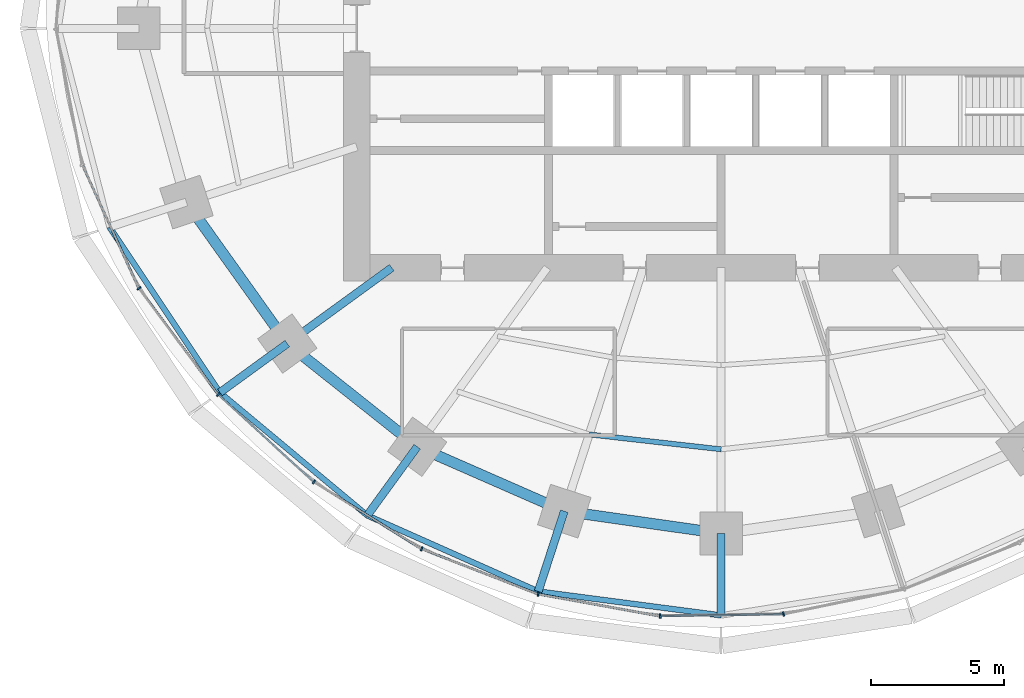
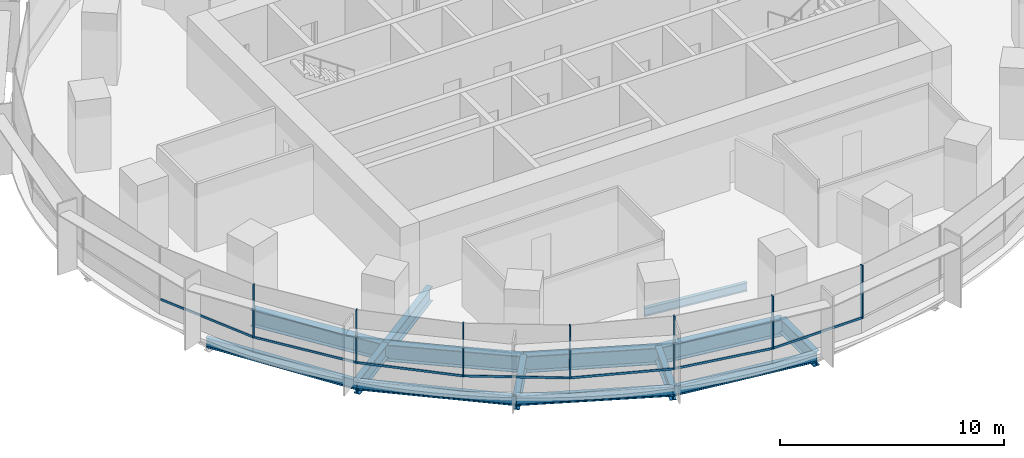
# One storey, part 2 of 14: 14 beams, 14 members, 2 elements without a shape of their own.
"""IFC4 building model written with IfcOpenShell, lengths in metres."""

from ifc_helpers import new_model, si_unit, direction, frame, origin, origin_2d, place, context, subcontext, project, spatial, rectangle, i_section, extrude, material, material_profile, profile_set, type_object, element, aggregate, save


model = new_model("IFC4")

# Units and contexts
model_context = context("Model", 3, precision=1e-05, world=origin(), true_north=direction((0.0, 1.0)))
body_context = subcontext(model_context, "Body", "Model", "MODEL_VIEW")
ifc_project = project(units=[si_unit("LENGTHUNIT", "METRE"), si_unit("AREAUNIT", "SQUARE_METRE"), si_unit("VOLUMEUNIT", "CUBIC_METRE"), si_unit("PLANEANGLEUNIT", "RADIAN"), si_unit("MASSUNIT", "GRAM", prefix="KILO")], contexts=[model_context])

# Site, building, storey
site_placement = place(None, origin())
site = spatial("IfcSite", under=ifc_project, at=site_placement, CompositionType="ELEMENT")
building_placement = place(site_placement, origin())
building = spatial("IfcBuilding", under=site, at=building_placement, Name="Marramba Exchange Tower", CompositionType="ELEMENT")
storey_placement = place(building_placement, frame((0.0, 0.0, 162.60009765625)))
storey = spatial("IfcBuildingStorey", under=building, at=storey_placement, Name="L39", CompositionType="ELEMENT", Elevation=162.60009765625)

# Beams
ifc_material_1 = material(Name="Steel AS/NZS 3679.2 grade 300", Category="steel")
ifc_material_profile_1 = material_profile(ifc_material_1, i_section(OverallWidth=0.300048828125, OverallDepth=0.800048828125, WebThickness=0.013916015625, FlangeThickness=0.031982421875, at=origin_2d()), Name="800WB192")
ifc_profile_set_1 = profile_set([ifc_material_profile_1], Name="Steel AS/NZS 3679.2 grade 300")
beam_type_1 = type_object("IfcBeamType", Name="Cantilever girder 800WB192", PredefinedType="BEAM", material=ifc_profile_set_1)
beam_1_placement = place(storey_placement, frame((-16.3154296875, -11.853759765625, -0.56005859375), z_axis=(-0.809025813822, -0.587773113173, 0.0), x_axis=(0.587773113173, -0.809025813822, 0.0)))
element("IfcBeam", 1, at=beam_1_placement, inside=storey, type_object=beam_type_1, Name="Cantilever girder L39 TC13", PredefinedType="BEAM", context=body_context, shape_type="SweptSolid", body=[
    extrude(i_section(OverallWidth=0.300048828125, OverallDepth=0.800048828125, WebThickness=0.013916015625, FlangeThickness=0.031982421875, at=origin_2d()), origin(), (0.0, 0.0, 1.0), 3.132568359375),
])
beam_2_placement = place(storey_placement, frame((-11.430419921875, -15.732666015625, -0.56005859375), z_axis=(-0.587767308424, -0.809030031054, 0.0), x_axis=(0.809030031054, -0.587767308424, 0.0)))
element("IfcBeam", 2, at=beam_2_placement, inside=storey, type_object=beam_type_1, Name="Cantilever girder L39 TC14", PredefinedType="BEAM", context=body_context, shape_type="SweptSolid", body=[
    extrude(i_section(OverallWidth=0.300048828125, OverallDepth=0.800048828125, WebThickness=0.013916015625, FlangeThickness=0.031982421875, at=origin_2d()), origin(), (0.0, 0.0, 1.0), 3.195556640625),
])
beam_3_placement = place(storey_placement, frame((-5.899658203125, -18.156982421875, -0.56005859375), z_axis=(-0.309018232614, -0.951056113966, 0.0), x_axis=(0.951056113966, -0.309018232614, 0.0)))
element("IfcBeam", 3, at=beam_3_placement, inside=storey, type_object=beam_type_1, Name="Cantilever girder L39 TC15", PredefinedType="BEAM", context=body_context, shape_type="SweptSolid", body=[
    extrude(i_section(OverallWidth=0.300048828125, OverallDepth=0.800048828125, WebThickness=0.013916015625, FlangeThickness=0.031982421875, at=origin_2d()), origin(), (0.0, 0.0, 1.0), 3.173583984375),
])
beam_4_placement = place(storey_placement, frame((0.0, -18.99609375, -0.56005859375), z_axis=(0.0, -1.0, 0.0), x_axis=(1.0, 0.0, 0.0)))
element("IfcBeam", 4, at=beam_4_placement, inside=storey, type_object=beam_type_1, Name="Cantilever girder L39 TC16", PredefinedType="BEAM", context=body_context, shape_type="SweptSolid", body=[
    extrude(i_section(OverallWidth=0.300048828125, OverallDepth=0.800048828125, WebThickness=0.013916015625, FlangeThickness=0.031982421875, at=origin_2d()), origin(), (0.0, 0.0, 1.0), 3.080810546875),
])
ifc_material_2 = material(Name="Steel AS/NZS 3679.1 grade 300", Category="steel")
ifc_material_profile_2 = material_profile(ifc_material_2, i_section(OverallWidth=0.18994140625, OverallDepth=0.4541015625, WebThickness=0.008544921875, FlangeThickness=0.0126953125, FilletRadius=0.011474609375, at=origin_2d()), Name="460UB67.1")
ifc_profile_set_2 = profile_set([ifc_material_profile_2], Name="Steel AS/NZS 3679.1 grade 300")
beam_type_2 = type_object("IfcBeamType", Name="Floor joist 460UB67.1", PredefinedType="JOIST", material=ifc_profile_set_2)
beam_5_placement = place(storey_placement, frame((-4.9619140625, -15.271484375, -0.38720703125), z_axis=(0.993712018573, -0.111966174106, 0.0), x_axis=(0.111966174106, 0.993712018573, 0.0)))
element("IfcBeam", 5, at=beam_5_placement, inside=storey, type_object=beam_type_2, Name="Joist L39 bay 15 row 2", PredefinedType="JOIST", context=body_context, shape_type="SweptSolid", body=[
    extrude(i_section(OverallWidth=0.18994140625, OverallDepth=0.4541015625, WebThickness=0.008544921875, FlangeThickness=0.0126953125, FilletRadius=0.011474609375, at=origin_2d()), origin(), (0.0, 0.0, 1.0), 4.993408203125),
])

# Curtain wall, members
ifc_material_3 = material(Name="Aluminium framing, bronze anodised", Category="aluminium")
curtain_wall_type = type_object("IfcCurtainWallType", Name="Office ribbon curtain wall", PredefinedType="USERDEFINED", material=ifc_material_3)
curtain_wall_1_placement = place(storey_placement, origin())
curtain_wall_1 = element("IfcCurtainWall", 6, at=curtain_wall_1_placement, inside=storey, type_object=curtain_wall_type, Name="Curtain wall CW4 L39 F16-F20", ObjectType="RIBBON CURTAIN WALL", PredefinedType="USERDEFINED")
ifc_material_4 = material(Name="Aluminium mullion, bronze anodised", Category="aluminium")
ifc_material_profile_3 = material_profile(ifc_material_4, rectangle(XDim=0.159912109375, YDim=0.06005859375, at=origin_2d()), Name="CW4 mullion 60x160")
ifc_profile_set_3 = profile_set([ifc_material_profile_3], Name="Aluminium mullion, bronze anodised")
member_type_1 = type_object("IfcMemberType", Name="Office ribbon curtain wall mullion", PredefinedType="MULLION", material=ifc_profile_set_3)
member_1_placement = place(storey_placement, frame((-21.891357421875, -9.778564453125, 0.7998046875), z_axis=(0.0, 0.0, 1.0), x_axis=(0.802014400683, 0.597304697033, 0.0)))
member_1 = element("IfcMember", 7, at=member_1_placement, type_object=member_type_1, Name="CW4 mullion 1", PredefinedType="MULLION", context=body_context, shape_type="SweptSolid", body=[
    extrude(rectangle(XDim=0.159912109375, YDim=0.06005859375, at=origin_2d()), origin(), (0.0, 0.0, 1.0), 2.900146484375),
])
member_2_placement = place(storey_placement, frame((-18.90869140625, -13.774169921875, 0.7998046875), z_axis=(0.0, 0.0, 1.0), x_axis=(0.674995455115, 0.737821886077, 0.0)))
member_2 = element("IfcMember", 8, at=member_2_placement, type_object=member_type_1, Name="CW4 mullion 1", PredefinedType="MULLION", context=body_context, shape_type="SweptSolid", body=[
    extrude(rectangle(XDim=0.159912109375, YDim=0.06005859375, at=origin_2d()), origin(), (0.0, 0.0, 1.0), 2.900146484375),
])
member_3_placement = place(storey_placement, frame((-15.315673828125, -17.053955078125, 0.7998046875), z_axis=(0.0, 0.0, 1.0), x_axis=(0.52942844364, 0.84835459748, 0.0)))
member_3 = element("IfcMember", 9, at=member_3_placement, type_object=member_type_1, Name="CW4 mullion 1", PredefinedType="MULLION", context=body_context, shape_type="SweptSolid", body=[
    extrude(rectangle(XDim=0.159912109375, YDim=0.06005859375, at=origin_2d()), origin(), (0.0, 0.0, 1.0), 2.900146484375),
])

curtain_wall_2_placement = place(storey_placement, origin())
curtain_wall_2 = element("IfcCurtainWall", 10, at=curtain_wall_2_placement, inside=storey, type_object=curtain_wall_type, Name="Curtain wall CW4 L39 F21-F25", ObjectType="RIBBON CURTAIN WALL", PredefinedType="USERDEFINED")
member_4_placement = place(storey_placement, frame((-11.266845703125, -19.573974609375, 0.7998046875), z_axis=(0.0, 0.0, 1.0), x_axis=(0.36292490603, 0.931818390344, 0.0)))
member_4 = element("IfcMember", 11, at=member_4_placement, type_object=member_type_1, Name="CW4 mullion 1", PredefinedType="MULLION", context=body_context, shape_type="SweptSolid", body=[
    extrude(rectangle(XDim=0.159912109375, YDim=0.06005859375, at=origin_2d()), origin(), (0.0, 0.0, 1.0), 2.900146484375),
])
member_5_placement = place(storey_placement, frame((-6.881591796875, -21.27587890625, 0.7998046875), z_axis=(0.0, 0.0, 1.0), x_axis=(0.177992379115, 0.984031865834, 0.0)))
member_5 = element("IfcMember", 12, at=member_5_placement, type_object=member_type_1, Name="CW4 mullion 1", PredefinedType="MULLION", context=body_context, shape_type="SweptSolid", body=[
    extrude(rectangle(XDim=0.159912109375, YDim=0.06005859375, at=origin_2d()), origin(), (0.0, 0.0, 1.0), 2.900146484375),
])
member_6_placement = place(storey_placement, frame((-2.292724609375, -22.099853515625, 0.7998046875), z_axis=(0.0, 0.0, 1.0), x_axis=(-0.015178646521, 0.999884797709, 0.0)))
member_6 = element("IfcMember", 13, at=member_6_placement, type_object=member_type_1, Name="CW4 mullion 1", PredefinedType="MULLION", context=body_context, shape_type="SweptSolid", body=[
    extrude(rectangle(XDim=0.159912109375, YDim=0.06005859375, at=origin_2d()), origin(), (0.0, 0.0, 1.0), 2.900146484375),
])
member_7_placement = place(storey_placement, frame((2.3447265625, -22.02392578125, 0.7998046875), z_axis=(0.0, 0.0, 1.0), x_axis=(-0.202364850159, 0.979310199794, 0.0)))
member_7 = element("IfcMember", 14, at=member_7_placement, type_object=member_type_1, Name="CW4 mullion 1", PredefinedType="MULLION", context=body_context, shape_type="SweptSolid", body=[
    extrude(rectangle(XDim=0.159912109375, YDim=0.06005859375, at=origin_2d()), origin(), (0.0, 0.0, 1.0), 2.900146484375),
])

# Member
ifc_material_5 = material(Name="Aluminium transom, bronze anodised", Category="aluminium")
ifc_material_profile_4 = material_profile(ifc_material_5, rectangle(XDim=0.06005859375, YDim=0.1201171875, at=origin_2d()), Name="CW4 transom 60x120")
ifc_profile_set_4 = profile_set([ifc_material_profile_4], Name="Aluminium transom, bronze anodised")
member_type_2 = type_object("IfcMemberType", Name="Office ribbon curtain wall transom", PredefinedType="USERDEFINED", material=ifc_profile_set_4)
member_8_placement = place(storey_placement, frame((-24.013671875, -5.1640625, 0.829833984375), z_axis=(0.416732948599, -0.909028959688, 0.0), x_axis=(0.909028959688, 0.416732948599, 0.0)))
member_8 = element("IfcMember", 15, at=member_8_placement, type_object=member_type_2, Name="CW4 sill transom", ObjectType="TRANSOM", PredefinedType="USERDEFINED", context=body_context, shape_type="SweptSolid", body=[
    extrude(rectangle(XDim=0.06005859375, YDim=0.1201171875, at=origin_2d()), origin(), (0.0, 0.0, 1.0), 5.050048828125),
])

member_9_placement = place(storey_placement, frame((-21.873291015625, -9.802734375, 0.829833984375), z_axis=(0.597300736643, -0.80201735019, 0.0), x_axis=(0.80201735019, 0.597300736643, 0.0)))
member_9 = element("IfcMember", 16, at=member_9_placement, type_object=member_type_2, Name="CW4 sill transom", ObjectType="TRANSOM", PredefinedType="USERDEFINED", context=body_context, shape_type="SweptSolid", body=[
    extrude(rectangle(XDim=0.06005859375, YDim=0.1201171875, at=origin_2d()), origin(), (0.0, 0.0, 1.0), 4.926513671875),
])

member_10_placement = place(storey_placement, frame((-18.886474609375, -13.79443359375, 0.829833984375), z_axis=(0.737807565469, -0.675011108306, 0.0), x_axis=(0.675011108306, 0.737807565469, 0.0)))
member_10 = element("IfcMember", 17, at=member_10_placement, type_object=member_type_2, Name="CW4 sill transom", ObjectType="TRANSOM", PredefinedType="USERDEFINED", context=body_context, shape_type="SweptSolid", body=[
    extrude(rectangle(XDim=0.06005859375, YDim=0.1201171875, at=origin_2d()), origin(), (0.0, 0.0, 1.0), 4.805419921875),
])

member_11_placement = place(storey_placement, frame((-15.2900390625, -17.06982421875, 0.829833984375), z_axis=(0.848373790728, -0.529397687193, 0.0), x_axis=(0.529397687193, 0.848373790728, 0.0)))
member_11 = element("IfcMember", 18, at=member_11_placement, type_object=member_type_2, Name="CW4 sill transom", ObjectType="TRANSOM", PredefinedType="USERDEFINED", context=body_context, shape_type="SweptSolid", body=[
    extrude(rectangle(XDim=0.06005859375, YDim=0.1201171875, at=origin_2d()), origin(), (0.0, 0.0, 1.0), 4.70947265625),
])

aggregate(curtain_wall_1, [member_8, member_1, member_9, member_2, member_10, member_3, member_11])

member_12_placement = place(storey_placement, frame((-11.23876953125, -19.5849609375, 0.829833984375), z_axis=(0.931817106708, -0.362928201778, 0.0), x_axis=(0.362928201778, 0.931817106708, 0.0)))
member_12 = element("IfcMember", 19, at=member_12_placement, type_object=member_type_2, Name="CW4 sill transom", ObjectType="TRANSOM", PredefinedType="USERDEFINED", context=body_context, shape_type="SweptSolid", body=[
    extrude(rectangle(XDim=0.06005859375, YDim=0.1201171875, at=origin_2d()), origin(), (0.0, 0.0, 1.0), 4.644287109375),
])

member_13_placement = place(storey_placement, frame((-6.85205078125, -21.281005859375, 0.829833984375), z_axis=(0.98402906811, -0.178007845654, 0.0), x_axis=(0.178007845654, 0.98402906811, 0.0)))
member_13 = element("IfcMember", 20, at=member_13_placement, type_object=member_type_2, Name="CW4 sill transom", ObjectType="TRANSOM", PredefinedType="USERDEFINED", context=body_context, shape_type="SweptSolid", body=[
    extrude(rectangle(XDim=0.06005859375, YDim=0.1201171875, at=origin_2d()), origin(), (0.0, 0.0, 1.0), 4.602783203125),
])

member_14_placement = place(storey_placement, frame((-2.262939453125, -22.099365234375, 0.829833984375), z_axis=(0.999885345665, 0.015142507235, 0.0), x_axis=(-0.015142507235, 0.999885345665, 0.0)))
member_14 = element("IfcMember", 21, at=member_14_placement, type_object=member_type_2, Name="CW4 sill transom", ObjectType="TRANSOM", PredefinedType="USERDEFINED", context=body_context, shape_type="SweptSolid", body=[
    extrude(rectangle(XDim=0.06005859375, YDim=0.1201171875, at=origin_2d()), origin(), (0.0, 0.0, 1.0), 4.578857421875),
])

aggregate(curtain_wall_2, [member_4, member_12, member_5, member_13, member_6, member_14, member_7])

# Beams
ifc_material_profile_5 = material_profile(ifc_material_1, i_section(OverallWidth=0.300048828125, OverallDepth=0.800048828125, WebThickness=0.013916015625, FlangeThickness=0.031982421875, at=origin_2d()), Name="800WB192")
ifc_profile_set_5 = profile_set([ifc_material_profile_5], Name="Steel AS/NZS 3679.2 grade 300")
beam_type_3 = type_object("IfcBeamType", Name="Radial girder 800WB192", PredefinedType="BEAM", material=ifc_profile_set_5)
beam_6_placement = place(storey_placement, frame((-12.387451171875, -9.0, -0.56005859375), z_axis=(-0.809025189606, -0.58777397236, 0.0), x_axis=(0.58777397236, -0.809025189606, 0.0)))
element("IfcBeam", 22, at=beam_6_placement, inside=storey, type_object=beam_type_3, Name="Radial girder L39 TC13", PredefinedType="BEAM", context=body_context, shape_type="SweptSolid", body=[
    extrude(i_section(OverallWidth=0.300048828125, OverallDepth=0.800048828125, WebThickness=0.013916015625, FlangeThickness=0.031982421875, at=origin_2d()), origin(), (0.0, 0.0, 1.0), 4.855224609375),
])
ifc_material_profile_6 = material_profile(ifc_material_1, i_section(OverallWidth=0.39990234375, OverallDepth=0.89990234375, WebThickness=0.01611328125, FlangeThickness=0.031982421875, at=origin_2d()), Name="900WB282")
ifc_profile_set_6 = profile_set([ifc_material_profile_6], Name="Steel AS/NZS 3679.2 grade 300")
beam_type_4 = type_object("IfcBeamType", Name="Ring beam 900WB282", PredefinedType="SPANDREL", material=ifc_profile_set_6)
beam_7_placement = place(storey_placement, frame((-20.109375, -6.533935546875, -0.610107421875), z_axis=(0.580637181111, -0.814162430914, 0.0), x_axis=(0.814162430914, 0.580637181111, 0.0)))
element("IfcBeam", 23, at=beam_7_placement, inside=storey, type_object=beam_type_4, Name="Ring beam L39 TC12-TC13", PredefinedType="SPANDREL", context=body_context, shape_type="SweptSolid", body=[
    extrude(i_section(OverallWidth=0.39990234375, OverallDepth=0.89990234375, WebThickness=0.01611328125, FlangeThickness=0.031982421875, at=origin_2d()), origin(), (0.0, 0.0, 1.0), 6.5341796875),
])
beam_8_placement = place(storey_placement, frame((-16.3154296875, -11.853759765625, -0.610107421875), z_axis=(0.783139438128, -0.621846138887, 0.0), x_axis=(0.621846138887, 0.783139438128, 0.0)))
element("IfcBeam", 24, at=beam_8_placement, inside=storey, type_object=beam_type_4, Name="Ring beam L39 TC13-TC14", PredefinedType="SPANDREL", context=body_context, shape_type="SweptSolid", body=[
    extrude(i_section(OverallWidth=0.39990234375, OverallDepth=0.89990234375, WebThickness=0.01611328125, FlangeThickness=0.031982421875, at=origin_2d()), origin(), (0.0, 0.0, 1.0), 6.23779296875),
])
beam_9_placement = place(storey_placement, frame((-11.430419921875, -15.732666015625, -0.610107421875), z_axis=(0.915876892158, -0.4014592363, 0.0), x_axis=(0.4014592363, 0.915876892158, 0.0)))
element("IfcBeam", 25, at=beam_9_placement, inside=storey, type_object=beam_type_4, Name="Ring beam L39 TC14-TC15", PredefinedType="SPANDREL", context=body_context, shape_type="SweptSolid", body=[
    extrude(i_section(OverallWidth=0.39990234375, OverallDepth=0.89990234375, WebThickness=0.01611328125, FlangeThickness=0.031982421875, at=origin_2d()), origin(), (0.0, 0.0, 1.0), 6.038818359375),
])
beam_10_placement = place(storey_placement, frame((-5.899658203125, -18.156982421875, -0.610107421875), z_axis=(0.990036163016, -0.140813337152, 0.0), x_axis=(0.140813337152, 0.990036163016, 0.0)))
element("IfcBeam", 26, at=beam_10_placement, inside=storey, type_object=beam_type_4, Name="Ring beam L39 TC15-TC16", PredefinedType="SPANDREL", context=body_context, shape_type="SweptSolid", body=[
    extrude(i_section(OverallWidth=0.39990234375, OverallDepth=0.89990234375, WebThickness=0.01611328125, FlangeThickness=0.031982421875, at=origin_2d()), origin(), (0.0, 0.0, 1.0), 5.958984375),
])
ifc_material_profile_7 = material_profile(ifc_material_2, i_section(OverallWidth=0.208984375, OverallDepth=0.528076171875, WebThickness=0.009521484375, FlangeThickness=0.01318359375, FilletRadius=0.013916015625, at=origin_2d()), Name="530UB82.0")
ifc_profile_set_7 = profile_set([ifc_material_profile_7], Name="Steel AS/NZS 3679.1 grade 300")
beam_type_5 = type_object("IfcBeamType", Name="Slab edge beam 530UB82.0", PredefinedType="SPANDREL", material=ifc_profile_set_7)
beam_11_placement = place(storey_placement, frame((-23.00341796875, -7.47412109375, -0.424072265625), z_axis=(0.555280023791, -0.831663450669, 0.0), x_axis=(0.831663450669, 0.555280023791, 0.0)))
element("IfcBeam", 27, at=beam_11_placement, inside=storey, type_object=beam_type_5, Name="Slab edge beam L39 TC12-TC13", PredefinedType="SPANDREL", context=body_context, shape_type="SweptSolid", body=[
    extrude(i_section(OverallWidth=0.208984375, OverallDepth=0.528076171875, WebThickness=0.009521484375, FlangeThickness=0.01318359375, FilletRadius=0.013916015625, at=origin_2d()), origin(), (0.0, 0.0, 1.0), 7.480224609375),
])
beam_12_placement = place(storey_placement, frame((-18.849853515625, -13.695068359375, -0.424072265625), z_axis=(0.767874532322, -0.640600267415, 0.0), x_axis=(0.640600267415, 0.767874532322, 0.0)))
element("IfcBeam", 28, at=beam_12_placement, inside=storey, type_object=beam_type_5, Name="Slab edge beam L39 TC13-TC14", PredefinedType="SPANDREL", context=body_context, shape_type="SweptSolid", body=[
    extrude(i_section(OverallWidth=0.208984375, OverallDepth=0.528076171875, WebThickness=0.009521484375, FlangeThickness=0.01318359375, FilletRadius=0.013916015625, at=origin_2d()), origin(), (0.0, 0.0, 1.0), 7.21630859375),
])
beam_13_placement = place(storey_placement, frame((-13.30859375, -18.31787109375, -0.424072265625), z_axis=(0.913788648873, -0.406189986571, 0.0), x_axis=(0.406189986571, 0.913788648873, 0.0)))
element("IfcBeam", 29, at=beam_13_placement, inside=storey, type_object=beam_type_5, Name="Slab edge beam L39 TC14-TC15", PredefinedType="SPANDREL", context=body_context, shape_type="SweptSolid", body=[
    extrude(i_section(OverallWidth=0.208984375, OverallDepth=0.528076171875, WebThickness=0.009521484375, FlangeThickness=0.01318359375, FilletRadius=0.013916015625, at=origin_2d()), origin(), (0.0, 0.0, 1.0), 7.03466796875),
])
beam_14_placement = place(storey_placement, frame((-6.88037109375, -21.17529296875, -0.424072265625), z_axis=(0.991523133546, -0.129930272237, 0.0), x_axis=(0.129930272237, 0.991523133546, 0.0)))
element("IfcBeam", 30, at=beam_14_placement, inside=storey, type_object=beam_type_5, Name="Slab edge beam L39 TC15-TC16", PredefinedType="SPANDREL", context=body_context, shape_type="SweptSolid", body=[
    extrude(i_section(OverallWidth=0.208984375, OverallDepth=0.528076171875, WebThickness=0.009521484375, FlangeThickness=0.01318359375, FilletRadius=0.013916015625, at=origin_2d()), origin(), (0.0, 0.0, 1.0), 6.939208984375),
])

save(model, "model.ifc")
